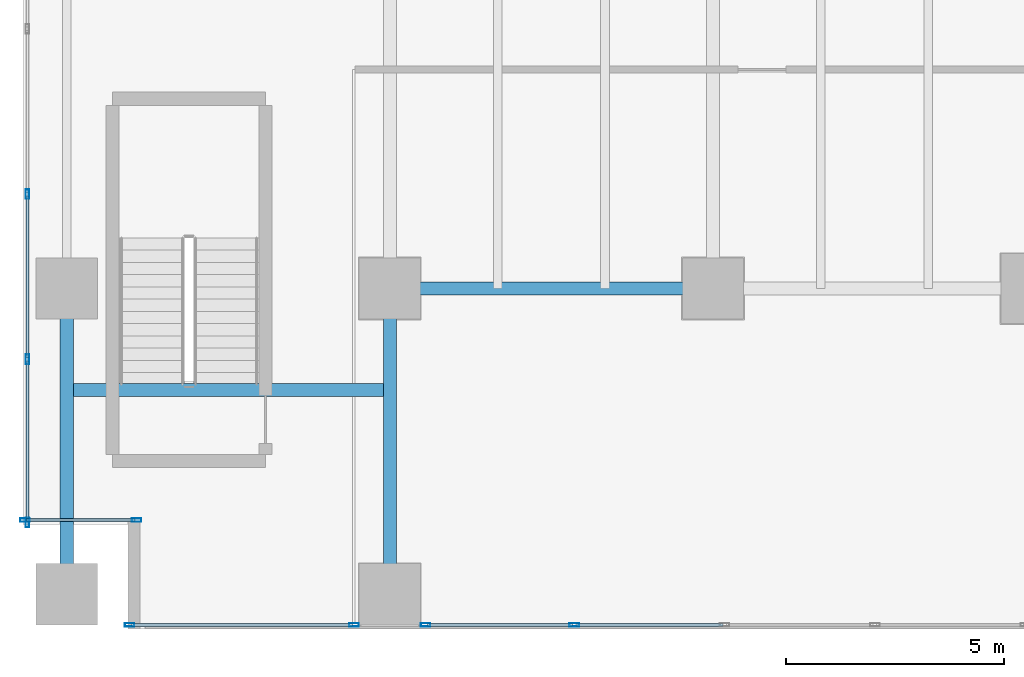
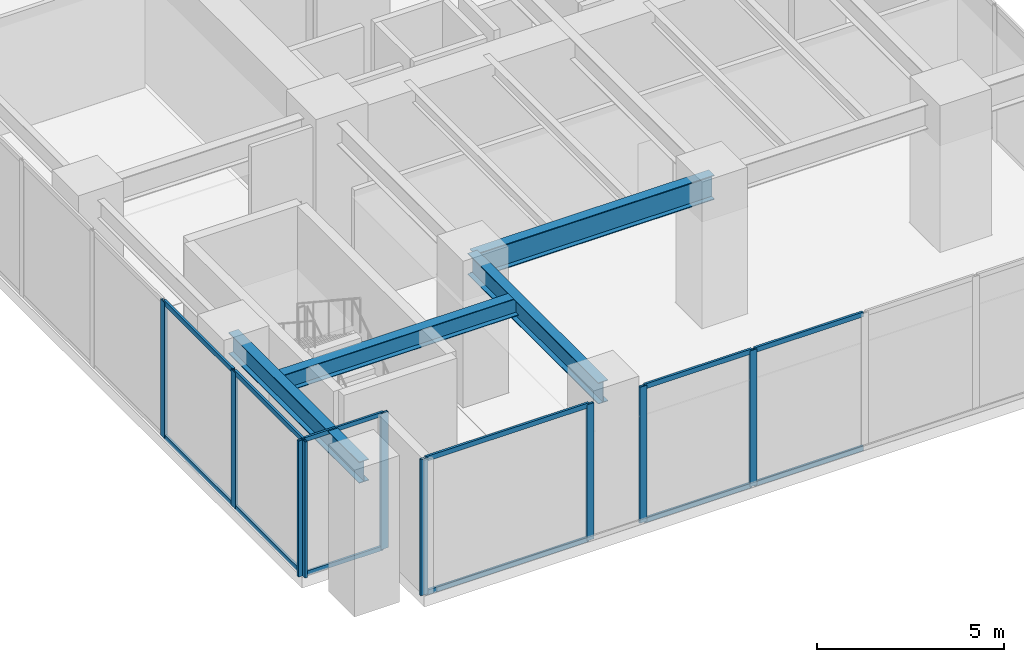
# One storey, part 2 of 39: 21 members, 4 beams, 4 elements without a shape of their own.
"""IFC4 building model written with IfcOpenShell, lengths in metres."""

import ifcopenshell
import ifcopenshell.guid

model = None  # the IFC model being written
_history = None  # IfcOwnerHistory: only IFC2X3 demands one
_inside = {}  # id of a spatial element -> (the spatial element, [elements in it])
_under = {}  # id of a project, library or spatial element -> (it, [spatial elements below it])
_declared = {}  # id of a project -> (the project, [libraries it declares])
_typed = {}  # id of a type object -> (the type object, [elements of that type])
_made_of = {}  # id of a material, layer set ... -> (it, [elements and type objects made of it])


def new_model(schema):
    """Start an empty IFC model of exactly this schema.

    Asked for "IFC4X3", IfcOpenShell would pick the latest addendum, in which some entities
    have other attributes; the version numbers below select the first issue.
    IFC2X3 requires an IfcOwnerHistory on every rooted entity: one is made here for all.
    """
    global model, _history
    if schema == "IFC4X3":
        model = ifcopenshell.file(schema_version=(4, 3, 0, 0))
    else:
        model = ifcopenshell.file(schema=schema)
    _inside.clear()
    _under.clear()
    _declared.clear()
    _typed.clear()
    _made_of.clear()
    _history = None
    if model.schema == "IFC2X3":
        org = make("IfcOrganization", Name="unknown")
        user = make(
            "IfcPersonAndOrganization",
            ThePerson=make("IfcPerson", FamilyName="unknown"),
            TheOrganization=org,
        )
        app = make(
            "IfcApplication",
            ApplicationDeveloper=org,
            Version="unknown",
            ApplicationFullName="unknown",
            ApplicationIdentifier="unknown",
        )
        _history = make(
            "IfcOwnerHistory",
            OwningUser=user,
            OwningApplication=app,
            ChangeAction="ADDED",
            CreationDate=0,
        )
    return model


def make(cls, **values):
    """One entity of the class cls with the attributes given. An attribute that is None is left unset."""
    return model.create_entity(
        cls, **{name: value for name, value in values.items() if value is not None}
    )


def rooted(cls, **values):
    """An entity with a GlobalId (a new one), such as an element, a storey or a relation."""
    return make(cls, GlobalId=ifcopenshell.guid.new(), OwnerHistory=_history, **values)


def si_unit(unit_type, name, prefix=None):
    """IfcSIUnit, for example si_unit("LENGTHUNIT", "METRE", prefix="MILLI")."""
    return make("IfcSIUnit", UnitType=unit_type, Prefix=prefix, Name=name)


def assignment(units):
    """IfcUnitAssignment: the units of a project."""
    return None if units is None else make("IfcUnitAssignment", Units=units)


def point(xyz):
    """IfcCartesianPoint."""
    return None if xyz is None else make("IfcCartesianPoint", Coordinates=xyz)


def direction(xyz):
    """IfcDirection."""
    return None if xyz is None else make("IfcDirection", DirectionRatios=xyz)


def frame(location, z_axis=None, x_axis=None):
    """IfcAxis2Placement3D, a coordinate frame: its origin and axes. An axis left out is left unset."""
    return make(
        "IfcAxis2Placement3D",
        Location=point(location),
        Axis=direction(z_axis),
        RefDirection=direction(x_axis),
    )


def frame_2d(location, x_axis=None):
    """IfcAxis2Placement2D, a coordinate frame in the plane: its origin and x axis."""
    return make(
        "IfcAxis2Placement2D", Location=point(location), RefDirection=direction(x_axis)
    )


def origin():
    """The frame at (0, 0, 0) with its axes left unset."""
    return frame((0.0, 0.0, 0.0))


def origin_2d():
    """The frame at (0, 0) in the plane with its x axis left unset."""
    return frame_2d((0.0, 0.0))


def place(relative_to, where):
    """IfcLocalPlacement: puts the frame where relative to a parent placement (None: the world)."""
    return make(
        "IfcLocalPlacement", PlacementRelTo=relative_to, RelativePlacement=where
    )


def context(
    kind, dimensions, precision=None, world=None, true_north=None, identifier=None
):
    """IfcGeometricRepresentationContext, for example the 3D "Model" context."""
    return make(
        "IfcGeometricRepresentationContext",
        ContextIdentifier=identifier,
        ContextType=kind,
        CoordinateSpaceDimension=dimensions,
        Precision=precision,
        WorldCoordinateSystem=world,
        TrueNorth=true_north,
    )


def subcontext(parent, identifier, kind, view, scale=None):
    """IfcGeometricRepresentationSubContext, for example "Body" below "Model"."""
    return make(
        "IfcGeometricRepresentationSubContext",
        ContextIdentifier=identifier,
        ContextType=kind,
        ParentContext=parent,
        TargetScale=scale,
        TargetView=view,
    )


def project(units=None, contexts=None):
    """IfcProject with its units and contexts."""
    return rooted(
        "IfcProject",
        Name="project",
        RepresentationContexts=contexts,
        UnitsInContext=assignment(units),
    )


def spatial(cls, under=None, at=None, **own):
    """A site, building, storey or space (cls), placed at a placement, below another one or the project."""
    s = rooted(cls, ObjectPlacement=at, **own)
    if under is not None:
        _under.setdefault(under.id(), (under, []))[1].append(s)
    return s


def profile(cls, at=None, kind="AREA", **sizes):
    """A parametric profile (cls). Its sizes go by their IFC names, for example OverallWidth=200.0."""
    return make(cls, ProfileType=kind, Position=at, **sizes)


def hollow_rectangle(**sizes):
    """IfcRectangleHollowProfileDef."""
    return profile("IfcRectangleHollowProfileDef", **sizes)


def i_section(**sizes):
    """IfcIShapeProfileDef."""
    return profile("IfcIShapeProfileDef", **sizes)


def extrude(swept, where, along, depth):
    """IfcExtrudedAreaSolid: the profile swept, set in the frame where, extruded along a direction by depth."""
    return make(
        "IfcExtrudedAreaSolid",
        SweptArea=swept,
        Position=where,
        ExtrudedDirection=direction(along),
        Depth=depth,
    )


def shape(context_of_items, identifier, shape_type, items):
    """IfcShapeRepresentation: the items that make up one representation, for example the "Body"."""
    return make(
        "IfcShapeRepresentation",
        ContextOfItems=context_of_items,
        RepresentationIdentifier=identifier,
        RepresentationType=shape_type,
        Items=items,
    )


def source(mapping_origin, context_of_items, identifier, shape_type, items):
    """IfcRepresentationMap: a shape defined once, which mapped items show again and again."""
    return make(
        "IfcRepresentationMap",
        MappingOrigin=mapping_origin,
        MappedRepresentation=shape(context_of_items, identifier, shape_type, items),
    )


def transform(
    local_origin,
    x_axis=None,
    y_axis=None,
    z_axis=None,
    scale=None,
    scale2=None,
    scale3=None,
    uniform=True,
):
    """IfcCartesianTransformationOperator3D, or its non-uniform kind. x_axis, y_axis, z_axis: its Axis1, 2, 3."""
    if uniform:
        return make(
            "IfcCartesianTransformationOperator3D",
            Axis1=direction(x_axis),
            Axis2=direction(y_axis),
            LocalOrigin=point(local_origin),
            Scale=scale,
            Axis3=direction(z_axis),
        )
    return make(
        "IfcCartesianTransformationOperator3DnonUniform",
        Axis1=direction(x_axis),
        Axis2=direction(y_axis),
        LocalOrigin=point(local_origin),
        Scale=scale,
        Axis3=direction(z_axis),
        Scale2=scale2,
        Scale3=scale3,
    )


def mapped(mapping_source, mapping_target):
    """IfcMappedItem: shows the shape of a source again, moved by a transform."""
    return make(
        "IfcMappedItem", MappingSource=mapping_source, MappingTarget=mapping_target
    )


def material(Name=None, Category=None):
    """IfcMaterial."""
    return make("IfcMaterial", Name=Name, Category=Category)


def layer(
    of_material, thickness, ventilated=None, Name=None, Category=None, Priority=None
):
    """IfcMaterialLayer: one layer of a wall or slab, of a material (None: an air gap)."""
    return make(
        "IfcMaterialLayer",
        Material=of_material,
        LayerThickness=thickness,
        IsVentilated=ventilated,
        Name=Name,
        Category=Category,
        Priority=Priority,
    )


def layer_set(layers, Name=None):
    """IfcMaterialLayerSet."""
    return make("IfcMaterialLayerSet", MaterialLayers=layers, LayerSetName=Name)


def material_profile(
    of_material, cross_section, Name=None, Category=None, Priority=None
):
    """IfcMaterialProfile: a cross section and its material."""
    return make(
        "IfcMaterialProfile",
        Name=Name,
        Material=of_material,
        Profile=cross_section,
        Priority=Priority,
        Category=Category,
    )


def profile_set(profiles, Name=None, composite=None):
    """IfcMaterialProfileSet."""
    return make(
        "IfcMaterialProfileSet",
        Name=Name,
        MaterialProfiles=profiles,
        CompositeProfile=composite,
    )


def made_of(thing, what):
    """Note that an element or type object is made of a material, layer set ...; save() writes the relation."""
    if what is not None:
        _made_of.setdefault(what.id(), (what, []))[1].append(thing)
    return thing


def type_object(cls, material=None, **own):
    """A type object (cls), such as IfcWallType, which elements share."""
    return made_of(rooted(cls, **own), material)


def type_shapes(of_type, sources):
    """Give a type object the sources (RepresentationMaps) that its elements show as mapped items."""
    of_type.RepresentationMaps = sources


def element(
    cls,
    number,
    at=None,
    inside=None,
    cuts=None,
    type_object=None,
    material=None,
    context=None,
    identifier="Body",
    shape_type=None,
    held_by="IfcProductDefinitionShape",
    body=None,
    shapes=None,
    **own,
):
    """One element of the class cls, such as IfcWall. Its Tag is "e" and its number.

    at: its placement. inside: the storey or other place that contains it. cuts: it is an
    opening in that element (IfcRelVoidsElement). A single representation is given by context,
    identifier, shape_type and body (its items); several are given by shapes. held_by: the class
    of the entity that holds the representations. save() writes the other relations.
    """
    e = rooted(cls, Tag="e%d" % number, ObjectPlacement=at, **own)
    if body is not None:
        shapes = [shape(context, identifier, shape_type, body)]
    if shapes is not None:
        e.Representation = make(held_by, Representations=shapes)
    if inside is not None:
        _inside.setdefault(inside.id(), (inside, []))[1].append(e)
    if cuts is not None:
        rooted(
            "IfcRelVoidsElement", RelatingBuildingElement=cuts, RelatedOpeningElement=e
        )
    if type_object is not None:
        _typed.setdefault(type_object.id(), (type_object, []))[1].append(e)
    return made_of(e, material)


def aggregate(whole, parts):
    """IfcRelAggregates: a whole, such as a stair, and the parts it consists of."""
    return rooted("IfcRelAggregates", RelatingObject=whole, RelatedObjects=parts)


def save(model, path):
    """Write the relations noted so far, then the file.

    IfcRelAggregates (storeys below a building ...), IfcRelContainedInSpatialStructure (elements
    in a storey), IfcRelDefinesByType, IfcRelAssociatesMaterial and IfcRelDeclares: one each for
    every whole, place, type object, material and project.
    """
    for whole, parts in _under.values():
        aggregate(whole, parts)
    for where, things in _inside.values():
        rooted(
            "IfcRelContainedInSpatialStructure",
            RelatedElements=things,
            RelatingStructure=where,
        )
    for kind, things in _typed.values():
        rooted("IfcRelDefinesByType", RelatedObjects=things, RelatingType=kind)
    for what, things in _made_of.values():
        rooted("IfcRelAssociatesMaterial", RelatedObjects=things, RelatingMaterial=what)
    for by, libraries in _declared.values():
        rooted("IfcRelDeclares", RelatingContext=by, RelatedDefinitions=libraries)
    model.write(path)


model = new_model("IFC4")

# Units and contexts
model_context = context("Model", 3, precision=1e-05, world=origin(), true_north=direction((0.0, 1.0)))
body_context = subcontext(model_context, "Body", "Model", "MODEL_VIEW")
ifc_project = project(units=[si_unit("LENGTHUNIT", "METRE"), si_unit("AREAUNIT", "SQUARE_METRE"), si_unit("VOLUMEUNIT", "CUBIC_METRE"), si_unit("PLANEANGLEUNIT", "RADIAN"), si_unit("MASSUNIT", "GRAM", prefix="KILO")], contexts=[model_context])

# Site, building, storey
site_placement = place(None, origin())
site = spatial("IfcSite", under=ifc_project, at=site_placement, CompositionType="ELEMENT")
building_placement = place(site_placement, origin())
building = spatial("IfcBuilding", under=site, at=building_placement, Name="Haelvirn Gate Laboratories", CompositionType="ELEMENT")
storey_placement = place(building_placement, frame((0.0, 0.0, 15.0)))
storey = spatial("IfcBuildingStorey", under=building, at=storey_placement, Name="L04", CompositionType="ELEMENT", Elevation=15.0)

# Beams
ifc_material_1 = material(Name="Steel SM420", Category="steel")
ifc_material_profile_1 = material_profile(ifc_material_1, i_section(OverallWidth=0.300048828125, OverallDepth=0.800048828125, WebThickness=0.013916015625, FlangeThickness=0.02587890625, at=origin_2d()), Name="H-800x300x14x26")
ifc_profile_set_1 = profile_set([ifc_material_profile_1], Name="Steel SM420")
beam_type_1 = type_object("IfcBeamType", Name="BM-G-800", PredefinedType="BEAM", material=ifc_profile_set_1)
shared_shape_1 = source(origin(), body_context, "Body", "SweptSolid", [
    extrude(i_section(OverallWidth=0.300048828125, OverallDepth=0.800048828125, WebThickness=0.013916015625, FlangeThickness=0.02587890625, at=origin_2d()), origin(), (0.0, 0.0, 1.0), 7.400146484375),
])
type_shapes(beam_type_1, [shared_shape_1])
beam_1_placement = place(storey_placement, frame((7.39990234375, 7.0, 4.050048828125), z_axis=(1.0, 0.0, 0.0), x_axis=(0.0, 1.0, 0.0)))
element("IfcBeam", 1, at=beam_1_placement, inside=storey, type_object=beam_type_1, Name="L04 Primary Girder Y7.0 (7.4-14.8)", PredefinedType="BEAM", context=body_context, shape_type="MappedRepresentation", body=[
    mapped(shared_shape_1, transform((0.0, 0.0, 0.0), scale=1.0)),
])
ifc_material_2 = material(Name="Steel SM355", Category="steel")
ifc_material_profile_2 = material_profile(ifc_material_2, i_section(OverallWidth=0.300048828125, OverallDepth=0.699951171875, WebThickness=0.012939453125, FlangeThickness=0.02392578125, at=origin_2d()), Name="H-700x300x13x24")
ifc_profile_set_2 = profile_set([ifc_material_profile_2], Name="Steel SM355")
beam_type_2 = type_object("IfcBeamType", Name="BM-G-700", PredefinedType="BEAM", material=ifc_profile_set_2)
shared_shape_2 = source(origin(), body_context, "Body", "SweptSolid", [
    extrude(i_section(OverallWidth=0.300048828125, OverallDepth=0.699951171875, WebThickness=0.012939453125, FlangeThickness=0.02392578125, at=origin_2d()), origin(), (0.0, 0.0, 1.0), 7.0),
])
type_shapes(beam_type_2, [shared_shape_2])
for number, where, z_axis, x_axis, name in (
    (2, (0.0, 0.0, 4.10009765625), (0.0, 1.0, 0.0), (-1.0, 0.0, 0.0), "L04 Stair ST3 West Trimmer Girder"),
    (3, (7.39990234375, 0.0, 4.10009765625), (0.0, 1.0, 0.0), (-1.0, 0.0, 0.0), "L04 Stair ST3 East Trimmer Girder"),
):
    element("IfcBeam", number, at=place(storey_placement, frame(where, z_axis=z_axis, x_axis=x_axis)), inside=storey, type_object=beam_type_2, Name=name, PredefinedType="BEAM", context=body_context, shape_type="MappedRepresentation", body=[
        mapped(shared_shape_2, transform((0.0, 0.0, 0.0), scale=1.0)),
    ])
ifc_material_profile_3 = material_profile(ifc_material_2, i_section(OverallWidth=0.300048828125, OverallDepth=0.587890625, WebThickness=0.011962890625, FlangeThickness=0.02001953125, at=origin_2d()), Name="H-588x300x12x20")
ifc_profile_set_3 = profile_set([ifc_material_profile_3], Name="Steel SM355")
beam_type_3 = type_object("IfcBeamType", Name="BM-G-588", PredefinedType="BEAM", material=ifc_profile_set_3)
shared_shape_3 = source(origin(), body_context, "Body", "SweptSolid", [
    extrude(i_section(OverallWidth=0.300048828125, OverallDepth=0.587890625, WebThickness=0.011962890625, FlangeThickness=0.02001953125, at=origin_2d()), origin(), (0.0, 0.0, 1.0), 7.39990234375),
])
type_shapes(beam_type_3, [shared_shape_3])
beam_2_placement = place(storey_placement, frame((0.0, 4.679931640625, 4.156005859375), z_axis=(1.0, 0.0, 0.0), x_axis=(0.0, 1.0, 0.0)))
element("IfcBeam", 4, at=beam_2_placement, inside=storey, type_object=beam_type_3, Name="L04 Stair ST3 Landing Header", PredefinedType="BEAM", context=body_context, shape_type="MappedRepresentation", body=[
    mapped(shared_shape_3, transform((0.0, 0.0, 0.0), scale=1.0)),
])

# Curtain wall, members
ifc_material_3 = material(Name="Anodised bronze unitised aluminium & triple low-E glass", Category="aluminium")
ifc_layer_1 = layer(ifc_material_3, 0.18798828125, Name="CW-SYS-1")
ifc_layer_set_1 = layer_set([ifc_layer_1], Name="Anodised bronze unitised aluminium & triple low-E glass")
curtain_wall_type_1 = type_object("IfcCurtainWallType", Name="CW-SYS-1", PredefinedType="NOTDEFINED", material=ifc_layer_set_1)
curtain_wall_1_placement = place(storey_placement, origin())
curtain_wall_1 = element("IfcCurtainWall", 5, at=curtain_wall_1_placement, inside=storey, type_object=curtain_wall_type_1, Name="L04 Unitised Curtain Wall CW-L04-P0-E00-1-S1", PredefinedType="NOTDEFINED")
ifc_material_4 = material(Name="Extruded aluminium 6063-T6 (anodised bronze)", Category="aluminium")
ifc_material_profile_4 = material_profile(ifc_material_4, hollow_rectangle(XDim=0.070068359375, YDim=0.159912109375, WallThickness=0.0048828125, at=origin_2d()), Name="CWT-160x70x5")
ifc_profile_set_4 = profile_set([ifc_material_profile_4], Name="Extruded aluminium 6063-T6 (anodised bronze)")
member_type_1 = type_object("IfcMemberType", Name="CWT-T160", PredefinedType="USERDEFINED", material=ifc_profile_set_4)
shared_shape_4 = source(origin(), body_context, "Body", "SweptSolid", [
    extrude(hollow_rectangle(XDim=0.070068359375, YDim=0.159912109375, WallThickness=0.0048828125, at=origin_2d()), origin(), (0.0, 0.0, 1.0), 5.06005859375),
])
member_1_placement = place(storey_placement, frame((1.47998046875, -0.699951171875, 0.034912109375), z_axis=(1.0, 0.0, 0.0), x_axis=(0.0, 1.0, 0.0)))
member_1 = element("IfcMember", 6, at=member_1_placement, type_object=member_type_1, Name="CW1 transom 1.1", ObjectType="TRANSOM", PredefinedType="USERDEFINED", context=body_context, shape_type="MappedRepresentation", body=[
    mapped(shared_shape_4, transform((0.0, 0.0, 0.0), scale=1.0)),
])
member_2_placement = place(storey_placement, frame((1.47998046875, -0.699951171875, 4.4150390625), z_axis=(1.0, 0.0, 0.0), x_axis=(0.0, 1.0, 0.0)))
member_2 = element("IfcMember", 7, at=member_2_placement, type_object=member_type_1, Name="CW1 transom 1.2", ObjectType="TRANSOM", PredefinedType="USERDEFINED", context=body_context, shape_type="MappedRepresentation", body=[
    mapped(shared_shape_4, transform((0.0, 0.0, 0.0), scale=1.0)),
])

curtain_wall_2_placement = place(storey_placement, origin())
curtain_wall_2 = element("IfcCurtainWall", 8, at=curtain_wall_2_placement, inside=storey, type_object=curtain_wall_type_1, Name="L04 Unitised Curtain Wall CW-L04-P0-E00-1-S2", PredefinedType="NOTDEFINED")
shared_shape_5 = source(origin(), body_context, "Body", "SweptSolid", [
    extrude(hollow_rectangle(XDim=0.070068359375, YDim=0.159912109375, WallThickness=0.0048828125, at=origin_2d()), origin(), (0.0, 0.0, 1.0), 3.323974609375),
])
member_3_placement = place(storey_placement, frame((8.260009765625, -0.699951171875, 0.034912109375), z_axis=(1.0, 0.0, 0.0), x_axis=(0.0, 1.0, 0.0)))
member_3 = element("IfcMember", 9, at=member_3_placement, type_object=member_type_1, Name="CW1 transom 1.1", ObjectType="TRANSOM", PredefinedType="USERDEFINED", context=body_context, shape_type="MappedRepresentation", body=[
    mapped(shared_shape_5, transform((0.0, 0.0, 0.0), scale=1.0)),
])
member_4_placement = place(storey_placement, frame((8.260009765625, -0.699951171875, 4.4150390625), z_axis=(1.0, 0.0, 0.0), x_axis=(0.0, 1.0, 0.0)))
member_4 = element("IfcMember", 10, at=member_4_placement, type_object=member_type_1, Name="CW1 transom 1.2", ObjectType="TRANSOM", PredefinedType="USERDEFINED", context=body_context, shape_type="MappedRepresentation", body=[
    mapped(shared_shape_5, transform((0.0, 0.0, 0.0), scale=1.0)),
])
shared_shape_6 = source(origin(), body_context, "Body", "SweptSolid", [
    extrude(hollow_rectangle(XDim=0.070068359375, YDim=0.159912109375, WallThickness=0.0048828125, at=origin_2d()), origin(), (0.0, 0.0, 1.0), 3.364013671875),
])
member_5_placement = place(storey_placement, frame((11.6640625, -0.699951171875, 0.034912109375), z_axis=(1.0, 0.0, 0.0), x_axis=(0.0, 1.0, 0.0)))
member_5 = element("IfcMember", 11, at=member_5_placement, type_object=member_type_1, Name="CW1 transom 2.1", ObjectType="TRANSOM", PredefinedType="USERDEFINED", context=body_context, shape_type="MappedRepresentation", body=[
    mapped(shared_shape_6, transform((0.0, 0.0, 0.0), scale=1.0)),
])
member_6_placement = place(storey_placement, frame((11.6640625, -0.699951171875, 4.4150390625), z_axis=(1.0, 0.0, 0.0), x_axis=(0.0, 1.0, 0.0)))
member_6 = element("IfcMember", 12, at=member_6_placement, type_object=member_type_1, Name="CW1 transom 2.2", ObjectType="TRANSOM", PredefinedType="USERDEFINED", context=body_context, shape_type="MappedRepresentation", body=[
    mapped(shared_shape_6, transform((0.0, 0.0, 0.0), scale=1.0)),
])

ifc_layer_2 = layer(ifc_material_3, 0.181884765625, Name="CW-SYS-5")
ifc_layer_set_2 = layer_set([ifc_layer_2], Name="Anodised bronze unitised aluminium & triple low-E glass")
curtain_wall_type_2 = type_object("IfcCurtainWallType", Name="CW-SYS-5", PredefinedType="NOTDEFINED", material=ifc_layer_set_2)
curtain_wall_3_placement = place(storey_placement, origin())
curtain_wall_3 = element("IfcCurtainWall", 13, at=curtain_wall_3_placement, inside=storey, type_object=curtain_wall_type_2, Name="L04 Unitised Curtain Wall CW-L04-P0-E06-1", PredefinedType="NOTDEFINED")
ifc_material_profile_5 = material_profile(ifc_material_4, hollow_rectangle(XDim=0.06494140625, YDim=0.139892578125, WallThickness=0.00390625, at=origin_2d()), Name="CWT-140x65x4")
ifc_profile_set_5 = profile_set([ifc_material_profile_5], Name="Extruded aluminium 6063-T6 (anodised bronze)")
member_type_2 = type_object("IfcMemberType", Name="CWT-T140", PredefinedType="USERDEFINED", material=ifc_profile_set_5)
shared_shape_7 = source(origin(), body_context, "Body", "SweptSolid", [
    extrude(hollow_rectangle(XDim=0.06494140625, YDim=0.139892578125, WallThickness=0.00390625, at=origin_2d()), origin(), (0.0, 0.0, 1.0), 2.47998046875),
])
type_shapes(member_type_2, [shared_shape_7])
member_7_placement = place(storey_placement, frame((-0.919921875, 1.699951171875, 0.032470703125), z_axis=(1.0, 0.0, 0.0), x_axis=(0.0, 1.0, 0.0)))
member_7 = element("IfcMember", 14, at=member_7_placement, type_object=member_type_2, Name="CW5 transom 1.1", ObjectType="TRANSOM", PredefinedType="USERDEFINED", context=body_context, shape_type="MappedRepresentation", body=[
    mapped(shared_shape_7, transform((0.0, 0.0, 0.0), scale=1.0)),
])
member_8_placement = place(storey_placement, frame((-0.919921875, 1.699951171875, 4.41748046875), z_axis=(1.0, 0.0, 0.0), x_axis=(0.0, 1.0, 0.0)))
member_8 = element("IfcMember", 15, at=member_8_placement, type_object=member_type_2, Name="CW5 transom 1.2", ObjectType="TRANSOM", PredefinedType="USERDEFINED", context=body_context, shape_type="MappedRepresentation", body=[
    mapped(shared_shape_7, transform((0.0, 0.0, 0.0), scale=1.0)),
])

curtain_wall_4_placement = place(storey_placement, origin())
curtain_wall_4 = element("IfcCurtainWall", 16, at=curtain_wall_4_placement, inside=storey, type_object=curtain_wall_type_1, Name="L04 Unitised Curtain Wall CW-L04-P0-E05", PredefinedType="NOTDEFINED")
shared_shape_8 = source(origin(), body_context, "Body", "SweptSolid", [
    extrude(hollow_rectangle(XDim=0.070068359375, YDim=0.159912109375, WallThickness=0.0048828125, at=origin_2d()), origin(), (0.0, 0.0, 1.0), 3.663330078125),
])
member_9_placement = place(storey_placement, frame((-0.89990234375, 5.34326171875, 0.034912109375), z_axis=(0.0, -1.0, 0.0), x_axis=(1.0, 0.0, 0.0)))
member_9 = element("IfcMember", 17, at=member_9_placement, type_object=member_type_1, Name="CW1 transom 12.1", ObjectType="TRANSOM", PredefinedType="USERDEFINED", context=body_context, shape_type="MappedRepresentation", body=[
    mapped(shared_shape_8, transform((0.0, 0.0, 0.0), scale=1.0)),
])
member_10_placement = place(storey_placement, frame((-0.89990234375, 5.34326171875, 4.4150390625), z_axis=(0.0, -1.0, 0.0), x_axis=(1.0, 0.0, 0.0)))
member_10 = element("IfcMember", 18, at=member_10_placement, type_object=member_type_1, Name="CW1 transom 12.2", ObjectType="TRANSOM", PredefinedType="USERDEFINED", context=body_context, shape_type="MappedRepresentation", body=[
    mapped(shared_shape_8, transform((0.0, 0.0, 0.0), scale=1.0)),
])
shared_shape_9 = source(origin(), body_context, "Body", "SweptSolid", [
    extrude(hollow_rectangle(XDim=0.070068359375, YDim=0.159912109375, WallThickness=0.0048828125, at=origin_2d()), origin(), (0.0, 0.0, 1.0), 3.703369140625),
])
type_shapes(member_type_1, [shared_shape_4, shared_shape_5, shared_shape_6, shared_shape_8, shared_shape_9])
member_11_placement = place(storey_placement, frame((-0.89990234375, 9.126708984375, 0.034912109375), z_axis=(0.0, -1.0, 0.0), x_axis=(1.0, 0.0, 0.0)))
member_11 = element("IfcMember", 19, at=member_11_placement, type_object=member_type_1, Name="CW1 transom 11.1", ObjectType="TRANSOM", PredefinedType="USERDEFINED", context=body_context, shape_type="MappedRepresentation", body=[
    mapped(shared_shape_9, transform((0.0, 0.0, 0.0), scale=1.0)),
])
member_12_placement = place(storey_placement, frame((-0.89990234375, 9.126708984375, 4.4150390625), z_axis=(0.0, -1.0, 0.0), x_axis=(1.0, 0.0, 0.0)))
member_12 = element("IfcMember", 20, at=member_12_placement, type_object=member_type_1, Name="CW1 transom 11.2", ObjectType="TRANSOM", PredefinedType="USERDEFINED", context=body_context, shape_type="MappedRepresentation", body=[
    mapped(shared_shape_9, transform((0.0, 0.0, 0.0), scale=1.0)),
])

# Member
ifc_material_profile_6 = material_profile(ifc_material_4, hollow_rectangle(XDim=0.080078125, YDim=0.219970703125, WallThickness=0.006103515625, at=origin_2d()), Name="CWM-220x80x6")
ifc_profile_set_6 = profile_set([ifc_material_profile_6], Name="Extruded aluminium 6063-T6 (anodised bronze)")
member_type_3 = type_object("IfcMemberType", Name="CWM-T220", PredefinedType="MULLION", material=ifc_profile_set_6)
shared_shape_10 = source(origin(), body_context, "Body", "SweptSolid", [
    extrude(hollow_rectangle(XDim=0.080078125, YDim=0.219970703125, WallThickness=0.006103515625, at=origin_2d()), origin(), (0.0, 0.0, 1.0), 4.449951171875),
])
type_shapes(member_type_3, [shared_shape_10])
member_13_placement = place(storey_placement, frame((1.43994140625, -0.699951171875, 0.0), z_axis=(0.0, 0.0, 1.0), x_axis=(0.0, 1.0, 0.0)))
member_13 = element("IfcMember", 21, at=member_13_placement, type_object=member_type_3, Name="CW1 mullion 1", PredefinedType="MULLION", context=body_context, shape_type="MappedRepresentation", body=[
    mapped(shared_shape_10, transform((0.0, 0.0, 0.0), scale=1.0)),
])

member_14_placement = place(storey_placement, frame((6.580078125, -0.699951171875, 0.0), z_axis=(0.0, 0.0, 1.0), x_axis=(0.0, 1.0, 0.0)))
member_14 = element("IfcMember", 22, at=member_14_placement, type_object=member_type_3, Name="CW1 mullion 2", PredefinedType="MULLION", context=body_context, shape_type="MappedRepresentation", body=[
    mapped(shared_shape_10, transform((0.0, 0.0, 0.0), scale=1.0)),
])

aggregate(curtain_wall_1, [member_13, member_14, member_1, member_2])

member_15_placement = place(storey_placement, frame((8.219970703125, -0.699951171875, 0.0), z_axis=(0.0, 0.0, 1.0), x_axis=(0.0, 1.0, 0.0)))
member_15 = element("IfcMember", 23, at=member_15_placement, type_object=member_type_3, Name="CW1 mullion 1", PredefinedType="MULLION", context=body_context, shape_type="MappedRepresentation", body=[
    mapped(shared_shape_10, transform((0.0, 0.0, 0.0), scale=1.0)),
])

member_16_placement = place(storey_placement, frame((11.6240234375, -0.699951171875, 0.0), z_axis=(0.0, 0.0, 1.0), x_axis=(0.0, 1.0, 0.0)))
member_16 = element("IfcMember", 24, at=member_16_placement, type_object=member_type_3, Name="CW1 mullion 2", PredefinedType="MULLION", context=body_context, shape_type="MappedRepresentation", body=[
    mapped(shared_shape_10, transform((0.0, 0.0, 0.0), scale=1.0)),
])

aggregate(curtain_wall_2, [member_15, member_16, member_3, member_4, member_5, member_6])

member_17_placement = place(storey_placement, frame((-0.89990234375, 9.166748046875, 0.0), z_axis=(0.0, 0.0, 1.0), x_axis=(1.0, 0.0, 0.0)))
member_17 = element("IfcMember", 25, at=member_17_placement, type_object=member_type_3, Name="CW1 mullion 11", PredefinedType="MULLION", context=body_context, shape_type="MappedRepresentation", body=[
    mapped(shared_shape_10, transform((0.0, 0.0, 0.0), scale=1.0)),
])

member_18_placement = place(storey_placement, frame((-0.89990234375, 5.38330078125, 0.0), z_axis=(0.0, 0.0, 1.0), x_axis=(1.0, 0.0, 0.0)))
member_18 = element("IfcMember", 26, at=member_18_placement, type_object=member_type_3, Name="CW1 mullion 12", PredefinedType="MULLION", context=body_context, shape_type="MappedRepresentation", body=[
    mapped(shared_shape_10, transform((0.0, 0.0, 0.0), scale=1.0)),
])

member_19_placement = place(storey_placement, frame((-0.89990234375, 1.639892578125, 0.0), z_axis=(0.0, 0.0, 1.0), x_axis=(1.0, 0.0, 0.0)))
member_19 = element("IfcMember", 27, at=member_19_placement, type_object=member_type_3, Name="CW1 mullion 13", PredefinedType="MULLION", context=body_context, shape_type="MappedRepresentation", body=[
    mapped(shared_shape_10, transform((0.0, 0.0, 0.0), scale=1.0)),
])

aggregate(curtain_wall_4, [member_17, member_18, member_19, member_11, member_12, member_9, member_10])

member_20_placement = place(storey_placement, frame((-0.9599609375, 1.699951171875, 0.0), z_axis=(0.0, 0.0, 1.0), x_axis=(0.0, 1.0, 0.0)))
member_20 = element("IfcMember", 28, at=member_20_placement, type_object=member_type_3, Name="CW5 mullion 1", PredefinedType="MULLION", context=body_context, shape_type="MappedRepresentation", body=[
    mapped(shared_shape_10, transform((0.0, 0.0, 0.0), scale=1.0)),
])

member_21_placement = place(storey_placement, frame((1.60009765625, 1.699951171875, 0.0), z_axis=(0.0, 0.0, 1.0), x_axis=(0.0, 1.0, 0.0)))
member_21 = element("IfcMember", 29, at=member_21_placement, type_object=member_type_3, Name="CW5 mullion 2", PredefinedType="MULLION", context=body_context, shape_type="MappedRepresentation", body=[
    mapped(shared_shape_10, transform((0.0, 0.0, 0.0), scale=1.0)),
])

aggregate(curtain_wall_3, [member_20, member_21, member_7, member_8])

save(model, "model.ifc")
